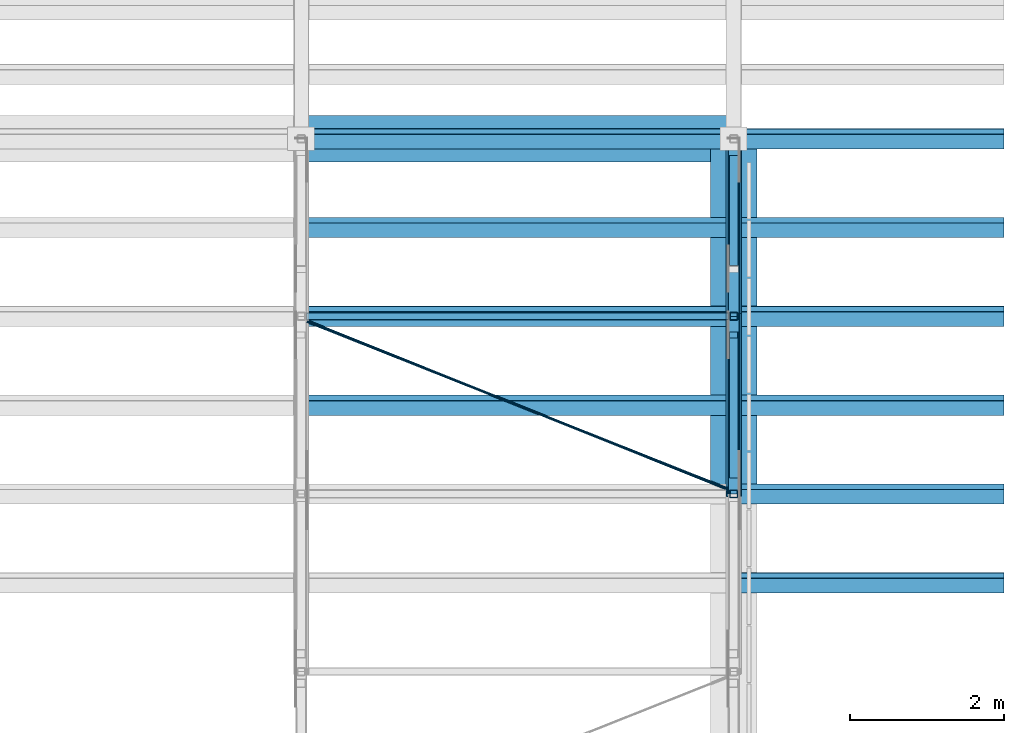
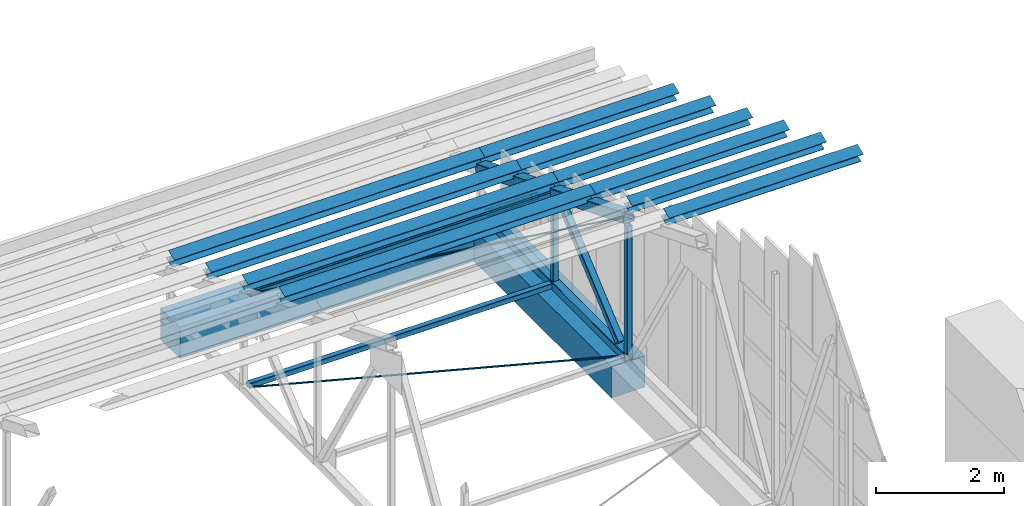
# One storey, part 27 of 71: 22 members, 2 beams.
"""IFC4 building model written with IfcOpenShell, lengths in metres."""

from ifc_helpers import new_model, si_unit, direction, frame, origin, origin_2d, place, context, subcontext, project, spatial, rectangle, hollow_rectangle, circle, i_section, extrude, material, material_profile, profile_set, type_object, element, save


model = new_model("IFC4")

# Units and contexts
model_context = context("Model", 3, precision=1e-05, world=origin(), true_north=direction((0.0, 1.0)))
body_context = subcontext(model_context, "Body", "Model", "MODEL_VIEW")
ifc_project = project(units=[si_unit("LENGTHUNIT", "METRE"), si_unit("AREAUNIT", "SQUARE_METRE"), si_unit("VOLUMEUNIT", "CUBIC_METRE"), si_unit("PLANEANGLEUNIT", "RADIAN"), si_unit("MASSUNIT", "GRAM", prefix="KILO")], contexts=[model_context])

# Site, building, storey
site_placement = place(None, origin())
site = spatial("IfcSite", under=ifc_project, at=site_placement, CompositionType="ELEMENT")
building_placement = place(site_placement, origin())
building = spatial("IfcBuilding", under=site, at=building_placement, Name="Wasatch Bagh Community Centre", CompositionType="ELEMENT")
storey_placement = place(building_placement, frame((0.0, 0.0, 12.60009765625)))
storey = spatial("IfcBuildingStorey", under=building, at=storey_placement, Name="L03", CompositionType="ELEMENT", Elevation=12.60009765625)

# Members
ifc_material_1 = material(Name="ASTM A500 Grade C steel", Category="steel")
ifc_material_profile_1 = material_profile(ifc_material_1, hollow_rectangle(XDim=0.1015625, YDim=0.1015625, WallThickness=0.005859375, InnerFilletRadius=0.005859375, OuterFilletRadius=0.01171875, at=origin_2d()), Name="HSS4x4x1/4")
ifc_profile_set_1 = profile_set([ifc_material_profile_1], Name="ASTM A500 Grade C steel")
member_type_1 = type_object("IfcMemberType", Name="SH HSS4x4x1/4 post", PredefinedType="POST", material=ifc_profile_set_1)
member_1_placement = place(storey_placement, frame((145.800048828125, 61.199951171875, 0.76220703125), z_axis=(0.0, 0.0, 1.0), x_axis=(1.0, 0.0, 0.0)))
element("IfcMember", 1, at=member_1_placement, inside=storey, type_object=member_type_1, Name="SH.SA7.PS11", PredefinedType="POST", context=body_context, shape_type="SweptSolid", body=[
    extrude(hollow_rectangle(XDim=0.1015625, YDim=0.1015625, WallThickness=0.005859375, InnerFilletRadius=0.005859375, OuterFilletRadius=0.01171875, at=origin_2d()), origin(), (0.0, 0.0, 1.0), 2.44189453125),
])
member_2_placement = place(storey_placement, frame((145.800048828125, 63.5, 0.76220703125), z_axis=(0.0, 0.0, 1.0), x_axis=(1.0, 0.0, 0.0)))
element("IfcMember", 2, at=member_2_placement, inside=storey, type_object=member_type_1, Name="SH.SA7.PS12", PredefinedType="POST", context=body_context, shape_type="SweptSolid", body=[
    extrude(hollow_rectangle(XDim=0.1015625, YDim=0.1015625, WallThickness=0.005859375, InnerFilletRadius=0.005859375, OuterFilletRadius=0.01171875, at=origin_2d()), origin(), (0.0, 0.0, 1.0), 1.504638671875),
])
ifc_material_profile_2 = material_profile(ifc_material_1, hollow_rectangle(XDim=0.1015625, YDim=0.1015625, WallThickness=0.005859375, InnerFilletRadius=0.005859375, OuterFilletRadius=0.01171875, at=origin_2d()), Name="HSS4x4x1/4")
ifc_profile_set_2 = profile_set([ifc_material_profile_2], Name="ASTM A500 Grade C steel")
member_type_2 = type_object("IfcMemberType", Name="SH HSS4x4x1/4 strut", PredefinedType="STRUT", material=ifc_profile_set_2)
member_3_placement = place(storey_placement, frame((140.29541015625, 63.5, 2.4296875), z_axis=(1.0, 0.0, 0.0), x_axis=(0.0, 1.0, 0.0)))
element("IfcMember", 3, at=member_3_placement, inside=storey, type_object=member_type_2, Name="SH.BR.eT.ST11E", PredefinedType="STRUT", context=body_context, shape_type="SweptSolid", body=[
    extrude(hollow_rectangle(XDim=0.1015625, YDim=0.1015625, WallThickness=0.005859375, InnerFilletRadius=0.005859375, OuterFilletRadius=0.01171875, at=origin_2d()), origin(), (0.0, 0.0, 1.0), 5.4091796875),
])
member_4_placement = place(storey_placement, frame((140.27001953125, 63.5, 0.68603515625), z_axis=(1.0, 0.0, 0.0), x_axis=(0.0, 1.0, 0.0)))
element("IfcMember", 4, at=member_4_placement, inside=storey, type_object=member_type_2, Name="SH.BR.eB.ST11E", PredefinedType="STRUT", context=body_context, shape_type="SweptSolid", body=[
    extrude(hollow_rectangle(XDim=0.1015625, YDim=0.1015625, WallThickness=0.005859375, InnerFilletRadius=0.005859375, OuterFilletRadius=0.01171875, at=origin_2d()), origin(), (0.0, 0.0, 1.0), 5.4599609375),
])
ifc_material_profile_3 = material_profile(ifc_material_1, hollow_rectangle(XDim=0.126953125, YDim=0.126953125, WallThickness=0.00732421875, InnerFilletRadius=0.00732421875, OuterFilletRadius=0.0146484375, at=origin_2d()), Name="HSS5x5x5/16")
ifc_profile_set_3 = profile_set([ifc_material_profile_3], Name="ASTM A500 Grade C steel")
member_type_3 = type_object("IfcMemberType", Name="SH HSS5x5x5/16 brace", PredefinedType="BRACE", material=ifc_profile_set_3)
member_5_placement = place(storey_placement, frame((145.800048828125, 61.4501953125, 0.81103515625), z_axis=(0.0, 0.760719100191, 0.649081235751), x_axis=(-1.0, 0.0, 0.0)))
element("IfcMember", 5, at=member_5_placement, inside=storey, type_object=member_type_3, Name="SH.SA7.WB11", PredefinedType="BRACE", context=body_context, shape_type="SweptSolid", body=[
    extrude(hollow_rectangle(XDim=0.126953125, YDim=0.126953125, WallThickness=0.00732421875, InnerFilletRadius=0.00732421875, OuterFilletRadius=0.0146484375, at=origin_2d()), origin(), (0.0, 0.0, 1.0), 2.377197265625),
])
member_6_placement = place(storey_placement, frame((145.800048828125, 65.541259765625, 0.81201171875), z_axis=(0.0, -0.775829568588, 0.630942533441), x_axis=(1.0, 0.0, 0.0)))
element("IfcMember", 6, at=member_6_placement, inside=storey, type_object=member_type_3, Name="SH.SA7.WB12", PredefinedType="BRACE", context=body_context, shape_type="SweptSolid", body=[
    extrude(hollow_rectangle(XDim=0.126953125, YDim=0.126953125, WallThickness=0.00732421875, InnerFilletRadius=0.00732421875, OuterFilletRadius=0.0146484375, at=origin_2d()), origin(), (0.0, 0.0, 1.0), 1.83837890625),
])
ifc_material_profile_4 = material_profile(ifc_material_1, hollow_rectangle(XDim=0.15234375, YDim=0.15234375, WallThickness=0.0087890625, InnerFilletRadius=0.0087890625, OuterFilletRadius=0.017822265625, at=origin_2d()), Name="HSS6x6x3/8")
ifc_profile_set_4 = profile_set([ifc_material_profile_4], Name="ASTM A500 Grade C steel")
member_type_4 = type_object("IfcMemberType", Name="SH HSS6x6x3/8 chord", PredefinedType="CHORD", material=ifc_profile_set_4)
for number, where, z_axis, x_axis, name in (
    (7, (145.800048828125, 61.199951171875, 0.68603515625), (0.0, 1.0, 0.0), (-1.0, 0.0, 0.0), "SH.SA7.BC11"),
    (8, (145.800048828125, 63.5, 0.68603515625), (0.0, 1.0, 0.0), (-1.0, 0.0, 0.0), "SH.SA7.BC12"),
):
    element("IfcMember", number, at=place(storey_placement, frame(where, z_axis=z_axis, x_axis=x_axis)), inside=storey, type_object=member_type_4, Name=name, PredefinedType="CHORD", context=body_context, shape_type="SweptSolid", body=[
        extrude(hollow_rectangle(XDim=0.15234375, YDim=0.15234375, WallThickness=0.0087890625, InnerFilletRadius=0.0087890625, OuterFilletRadius=0.017822265625, at=origin_2d()), origin(), (0.0, 0.0, 1.0), 2.300048828125),
    ])
ifc_material_profile_5 = material_profile(ifc_material_1, hollow_rectangle(XDim=0.203125, YDim=0.203125, WallThickness=0.01171875, InnerFilletRadius=0.01171875, OuterFilletRadius=0.023681640625, at=origin_2d()), Name="HSS8x8x1/2")
ifc_profile_set_5 = profile_set([ifc_material_profile_5], Name="ASTM A500 Grade C steel")
member_type_5 = type_object("IfcMemberType", Name="SH HSS8x8x1/2 chord", PredefinedType="CHORD", material=ifc_profile_set_5)
for number, where, z_axis, x_axis, name in (
    (9, (145.800048828125, 61.200439453125, 3.358642578125), (0.0, 0.927174106992, -0.374630718605), (-1.0, 0.0, 0.0), "SH.SA7.TC12"),
    (10, (145.800048828125, 63.50048828125, 2.429443359375), (0.0, 0.927174106992, -0.374630718605), (-1.0, 0.0, 0.0), "SH.SA7.TC13"),
):
    element("IfcMember", number, at=place(storey_placement, frame(where, z_axis=z_axis, x_axis=x_axis)), inside=storey, type_object=member_type_5, Name=name, PredefinedType="CHORD", context=body_context, shape_type="SweptSolid", body=[
        extrude(hollow_rectangle(XDim=0.203125, YDim=0.203125, WallThickness=0.01171875, InnerFilletRadius=0.01171875, OuterFilletRadius=0.023681640625, at=origin_2d()), origin(), (0.0, 0.0, 1.0), 2.479736328125),
    ])

# Beams
ifc_material_2 = material(Name="Concrete C40", Category="concrete")
ifc_material_profile_6 = material_profile(ifc_material_2, rectangle(XDim=0.60009765625, YDim=0.60009765625, at=origin_2d()), Name="RC 600x600")
ifc_profile_set_6 = profile_set([ifc_material_profile_6], Name="Concrete C40")
beam_type = type_object("IfcBeamType", Name="SH RC 600x600 beam", PredefinedType="BEAM", material=ifc_profile_set_6)
beam_1_placement = place(storey_placement, frame((140.199951171875, 65.800048828125, 0.2998046875), z_axis=(1.0, 0.0, 0.0), x_axis=(0.0, 1.0, 0.0)))
element("IfcBeam", 11, at=beam_1_placement, inside=storey, type_object=beam_type, Name="SH.beam.L03.ring12", PredefinedType="BEAM", context=body_context, shape_type="SweptSolid", body=[
    extrude(rectangle(XDim=0.60009765625, YDim=0.60009765625, at=origin_2d()), origin(), (0.0, 0.0, 1.0), 5.60009765625),
])
beam_2_placement = place(storey_placement, frame((145.800048828125, 61.199951171875, 0.2998046875), z_axis=(0.0, 1.0, 0.0), x_axis=(-1.0, 0.0, 0.0)))
element("IfcBeam", 12, at=beam_2_placement, inside=storey, type_object=beam_type, Name="SH.beam.L03.ring24", PredefinedType="BEAM", context=body_context, shape_type="SweptSolid", body=[
    extrude(rectangle(XDim=0.60009765625, YDim=0.60009765625, at=origin_2d()), origin(), (0.0, 0.0, 1.0), 4.60009765625),
])

# Members
ifc_material_3 = material(Name="ASTM A572 Grade 50 steel", Category="steel")
ifc_material_profile_7 = material_profile(ifc_material_3, circle(Radius=0.01611328125, at=origin_2d()), Name="ROD 32")
ifc_profile_set_7 = profile_set([ifc_material_profile_7], Name="ASTM A572 Grade 50 steel")
member_type_6 = type_object("IfcMemberType", Name="SH ROD 32 brace", PredefinedType="BRACE", material=ifc_profile_set_7)
member_7_placement = place(storey_placement, frame((140.3037109375, 63.43115234375, 2.457275390625), z_axis=(0.917838613984, -0.368041316735, 0.148720771435), x_axis=(0.372180247551, 0.928160472835, 0.0)))
element("IfcMember", 13, at=member_7_placement, inside=storey, type_object=member_type_6, Name="SH.BR.eT.DG11", PredefinedType="BRACE", context=body_context, shape_type="SweptSolid", body=[
    extrude(circle(Radius=0.01611328125, at=origin_2d()), origin(), (0.0, 0.0, 1.0), 5.875244140625),
])
member_8_placement = place(storey_placement, frame((140.27587890625, 63.43212890625, 0.68603515625), z_axis=(0.929355805049, -0.369185302553, 0.0), x_axis=(0.369185302553, 0.929355805049, 0.0)))
element("IfcMember", 14, at=member_8_placement, inside=storey, type_object=member_type_6, Name="SH.BR.eB.DG11", PredefinedType="BRACE", context=body_context, shape_type="SweptSolid", body=[
    extrude(circle(Radius=0.01611328125, at=origin_2d()), origin(), (0.0, 0.0, 1.0), 5.8623046875),
])
ifc_material_4 = material(Name="ASTM A992 Grade 50 steel", Category="steel")
ifc_material_profile_8 = material_profile(ifc_material_4, i_section(OverallWidth=0.203125, OverallDepth=0.203125, WebThickness=0.00732421875, FlangeThickness=0.010986328125, at=origin_2d()), Name="W8x31")
ifc_profile_set_8 = profile_set([ifc_material_profile_8], Name="ASTM A992 Grade 50 steel")
member_type_7 = type_object("IfcMemberType", Name="SH W8x31 purlin", PredefinedType="PURLIN", material=ifc_profile_set_8)
for number, where, z_axis, x_axis, name in (
    (15, (140.199951171875, 62.35009765625, 3.11328125), (1.0, 0.0, 0.0), (0.0, 0.927183854567, 0.374606593416), "SH.PUR.b6.PU25"),
    (16, (140.199951171875, 63.5, 2.648681640625), (1.0, 0.0, 0.0), (0.0, 0.927183854567, 0.374606593416), "SH.PUR.b6.PU26"),
    (17, (140.199951171875, 64.64990234375, 2.18408203125), (1.0, 0.0, 0.0), (0.0, 0.927183854567, 0.374606593416), "SH.PUR.b6.PU27"),
    (18, (140.199951171875, 65.800048828125, 1.719482421875), (1.0, 0.0, 0.0), (0.0, 0.927183854567, 0.374606593416), "SH.PUR.b6.PU28"),
):
    element("IfcMember", number, at=place(storey_placement, frame(where, z_axis=z_axis, x_axis=x_axis)), inside=storey, type_object=member_type_7, Name=name, PredefinedType="PURLIN", context=body_context, shape_type="SweptSolid", body=[
        extrude(i_section(OverallWidth=0.203125, OverallDepth=0.203125, WebThickness=0.00732421875, FlangeThickness=0.010986328125, at=origin_2d()), origin(), (0.0, 0.0, 1.0), 5.60009765625),
    ])
for number, where, z_axis, x_axis, name in (
    (19, (145.800048828125, 60.050048828125, 4.042724609375), (1.0, 0.0, 0.0), (0.0, 0.927183854567, 0.374606593416), "SH.PUR.v2.PU23"),
    (20, (145.800048828125, 61.199951171875, 3.577880859375), (1.0, 0.0, 0.0), (0.0, 0.927183854567, 0.374606593416), "SH.PUR.v2.PU24"),
    (21, (145.800048828125, 62.35009765625, 3.11328125), (1.0, 0.0, 0.0), (0.0, 0.927183854567, 0.374606593416), "SH.PUR.v2.PU25"),
    (22, (145.800048828125, 63.5, 2.648681640625), (1.0, 0.0, 0.0), (0.0, 0.927183854567, 0.374606593416), "SH.PUR.v2.PU26"),
    (23, (145.800048828125, 64.64990234375, 2.18408203125), (1.0, 0.0, 0.0), (0.0, 0.927183854567, 0.374606593416), "SH.PUR.v2.PU27"),
    (24, (145.800048828125, 65.800048828125, 1.719482421875), (1.0, 0.0, 0.0), (0.0, 0.927183854567, 0.374606593416), "SH.PUR.v2.PU28"),
):
    element("IfcMember", number, at=place(storey_placement, frame(where, z_axis=z_axis, x_axis=x_axis)), inside=storey, type_object=member_type_7, Name=name, PredefinedType="PURLIN", context=body_context, shape_type="SweptSolid", body=[
        extrude(i_section(OverallWidth=0.203125, OverallDepth=0.203125, WebThickness=0.00732421875, FlangeThickness=0.010986328125, at=origin_2d()), origin(), (0.0, 0.0, 1.0), 3.5),
    ])

save(model, "model.ifc")
